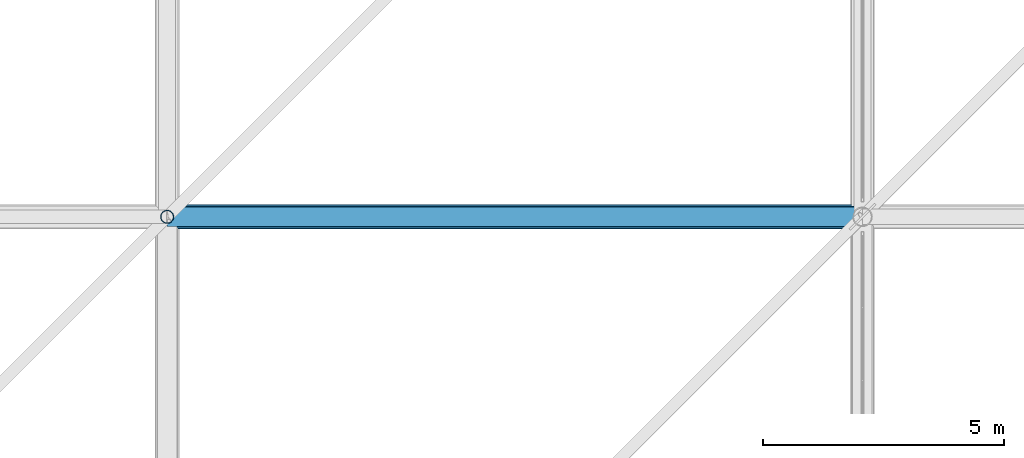
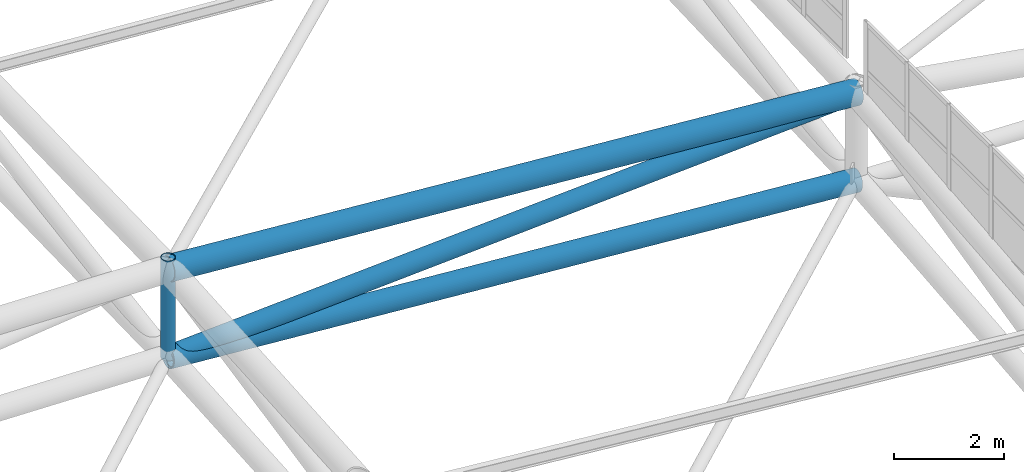
# One storey, part 133 of 397: 2 beams, 2 members.
"""IFC4 building model written with IfcOpenShell, lengths in metres."""

from ifc_helpers import new_model, si_unit, direction, frame, origin, origin_2d, place, context, subcontext, project, spatial, hollow_circle, extrude, material, material_profile, profile_set, type_object, element, save


model = new_model("IFC4")

# Units and contexts
model_context = context("Model", 3, precision=1e-05, world=origin(), true_north=direction((0.0, 1.0)))
body_context = subcontext(model_context, "Body", "Model", "MODEL_VIEW")
ifc_project = project(units=[si_unit("LENGTHUNIT", "METRE"), si_unit("AREAUNIT", "SQUARE_METRE"), si_unit("VOLUMEUNIT", "CUBIC_METRE"), si_unit("PLANEANGLEUNIT", "RADIAN"), si_unit("MASSUNIT", "GRAM", prefix="KILO")], contexts=[model_context])

# Site, building, storey
site_placement = place(None, origin())
site = spatial("IfcSite", under=ifc_project, at=site_placement, CompositionType="ELEMENT")
building_placement = place(site_placement, origin())
building = spatial("IfcBuilding", under=site, at=building_placement, Name="Qandorah Velis Arena", CompositionType="ELEMENT")
storey_placement = place(building_placement, frame((0.0, 0.0, 27.5)))
storey = spatial("IfcBuildingStorey", under=building, at=storey_placement, Name="RF", CompositionType="ELEMENT", Elevation=27.5)

# Beams
ifc_material = material(Name="Steel S355", Category="steel")
ifc_material_profile_1 = material_profile(ifc_material, hollow_circle(Radius=0.228515625, WallThickness=0.01611328125, at=origin_2d()), Name="CHS 457x16")
ifc_profile_set_1 = profile_set([ifc_material_profile_1], Name="Steel S355")
beam_type_1 = type_object("IfcBeamType", Name="STR-SFC-CHS457X16", PredefinedType="USERDEFINED", material=ifc_profile_set_1)
beam_1_placement = place(storey_placement, frame((86.39990234375, 43.199951171875, 8.038818359375), z_axis=(0.996929303331, 0.0, -0.078306858965), x_axis=(0.0, 1.0, 0.0)))
element("IfcBeam", 1, at=beam_1_placement, inside=storey, type_object=beam_type_1, Name="Space frame roof truss bottom chord X 5.2", ObjectType="ROOF TRUSS", PredefinedType="USERDEFINED", context=body_context, shape_type="SweptSolid", body=[
    extrude(hollow_circle(Radius=0.228515625, WallThickness=0.01611328125, at=origin_2d()), origin(), (0.0, 0.0, 1.0), 14.444580078125),
])
ifc_material_profile_2 = material_profile(ifc_material, hollow_circle(Radius=0.25390625, WallThickness=0.02001953125, at=origin_2d()), Name="CHS 508x20")
ifc_profile_set_2 = profile_set([ifc_material_profile_2], Name="Steel S355")
beam_type_2 = type_object("IfcBeamType", Name="STR-SFC-CHS508X20", PredefinedType="USERDEFINED", material=ifc_profile_set_2)
beam_2_placement = place(storey_placement, frame((86.39990234375, 43.199951171875, 9.98876953125), z_axis=(0.996929303331, 0.0, -0.078306858965), x_axis=(0.0, 1.0, 0.0)))
element("IfcBeam", 2, at=beam_2_placement, inside=storey, type_object=beam_type_2, Name="Space frame roof truss top chord X 5.2", ObjectType="ROOF TRUSS", PredefinedType="USERDEFINED", context=body_context, shape_type="SweptSolid", body=[
    extrude(hollow_circle(Radius=0.25390625, WallThickness=0.02001953125, at=origin_2d()), origin(), (0.0, 0.0, 1.0), 14.444580078125),
])

# Members
ifc_material_profile_3 = material_profile(ifc_material, hollow_circle(Radius=0.136474609375, WallThickness=0.010009765625, at=origin_2d()), Name="CHS 273x10")
ifc_profile_set_3 = profile_set([ifc_material_profile_3], Name="Steel S355")
member_type_1 = type_object("IfcMemberType", Name="STR-SFD-CHS273X10", PredefinedType="STRUT", material=ifc_profile_set_3)
member_1_placement = place(storey_placement, frame((86.39990234375, 43.199951171875, 8.038818359375), z_axis=(0.0, 0.0, 1.0), x_axis=(1.0, 0.0, 0.0)))
element("IfcMember", 3, at=member_1_placement, inside=storey, type_object=member_type_1, Name="Space frame roof vertical post 5.2", PredefinedType="STRUT", context=body_context, shape_type="SweptSolid", body=[
    extrude(hollow_circle(Radius=0.136474609375, WallThickness=0.010009765625, at=origin_2d()), origin(), (0.0, 0.0, 1.0), 2.2099609375),
])
ifc_material_profile_4 = material_profile(ifc_material, hollow_circle(Radius=0.203125, WallThickness=0.01611328125, at=origin_2d()), Name="CHS 406.4x16")
ifc_profile_set_4 = profile_set([ifc_material_profile_4], Name="Steel S355")
member_type_2 = type_object("IfcMemberType", Name="STR-SFD-CHS406X16", PredefinedType="STRUT", material=ifc_profile_set_4)
member_2_placement = place(storey_placement, frame((86.39990234375, 43.199951171875, 8.038818359375), z_axis=(0.998387162007, 0.0, 0.056772129959), x_axis=(0.0, 1.0, 0.0)))
element("IfcMember", 4, at=member_2_placement, inside=storey, type_object=member_type_2, Name="Space frame roof diagonal X 5.2", PredefinedType="STRUT", context=body_context, shape_type="SweptSolid", body=[
    extrude(hollow_circle(Radius=0.203125, WallThickness=0.01611328125, at=origin_2d()), origin(), (0.0, 0.0, 1.0), 14.42333984375),
])

save(model, "model.ifc")
